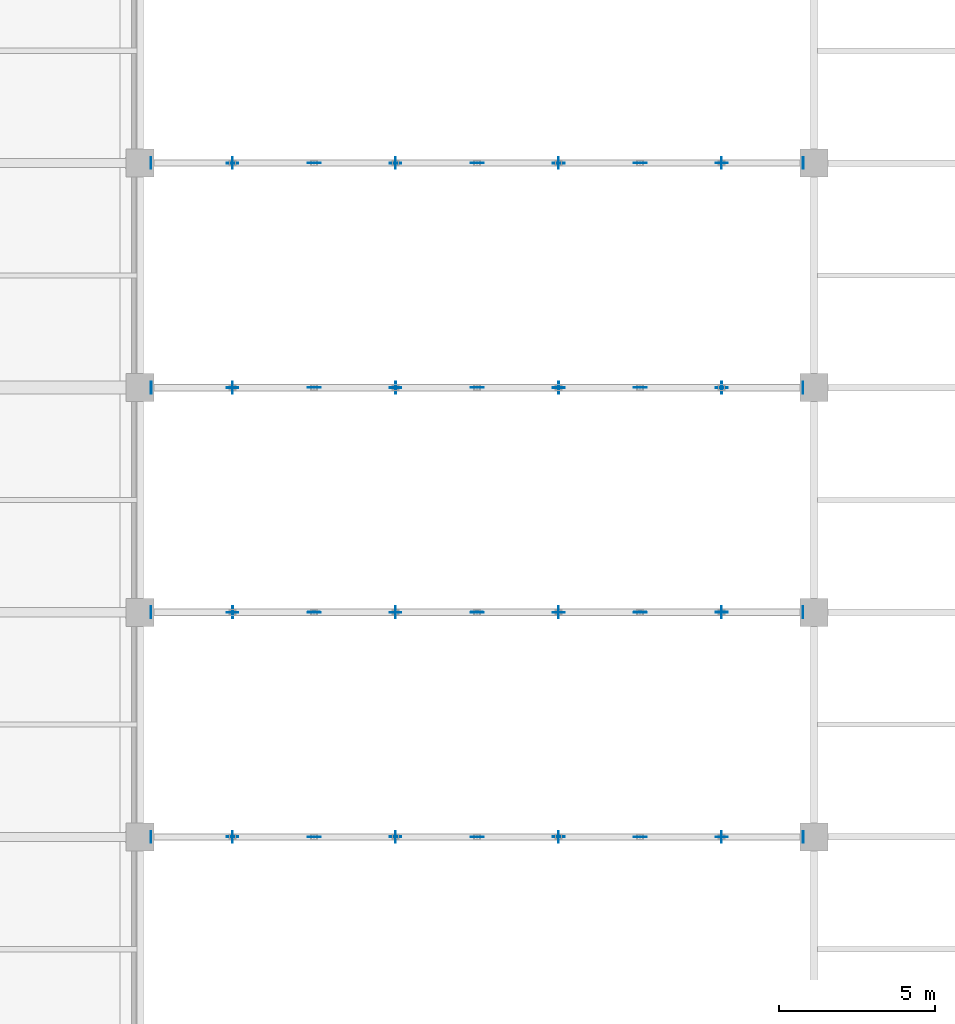
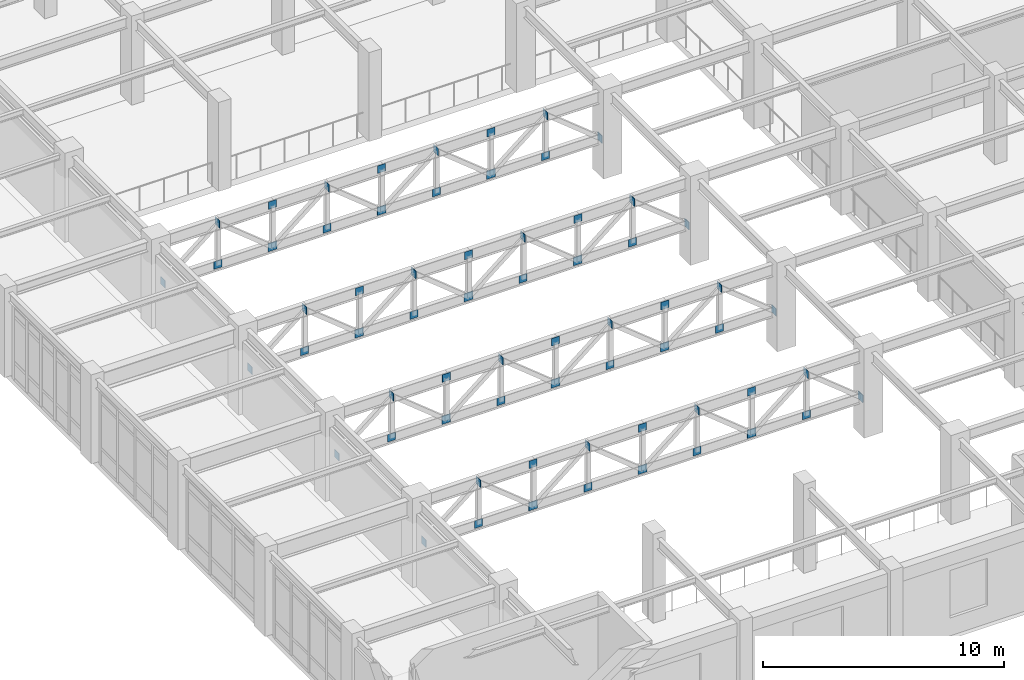
# One storey, part 72 of 106: 64 plates.
"""IFC4 building model written with IfcOpenShell, lengths in metres."""

from ifc_helpers import new_model, si_unit, direction, frame, origin, origin_2d, place, context, subcontext, project, spatial, rectangle, extrude, material, layer, layer_set, type_object, element, save


model = new_model("IFC4")

# Units and contexts
model_context = context("Model", 3, precision=1e-05, world=origin(), true_north=direction((0.0, 1.0)))
body_context = subcontext(model_context, "Body", "Model", "MODEL_VIEW")
ifc_project = project(units=[si_unit("LENGTHUNIT", "METRE"), si_unit("AREAUNIT", "SQUARE_METRE"), si_unit("VOLUMEUNIT", "CUBIC_METRE"), si_unit("PLANEANGLEUNIT", "RADIAN"), si_unit("MASSUNIT", "GRAM", prefix="KILO")], contexts=[model_context])

# Site, building, storey
site_placement = place(None, origin())
site = spatial("IfcSite", under=ifc_project, at=site_placement, CompositionType="ELEMENT")
building_placement = place(site_placement, origin())
building = spatial("IfcBuilding", under=site, at=building_placement, Name="Carrowvane Square Congress Hotel", CompositionType="ELEMENT")
storey_placement = place(building_placement, frame((0.0, 0.0, 10.5)))
storey = spatial("IfcBuildingStorey", under=building, at=storey_placement, Name="L02", CompositionType="ELEMENT", Elevation=10.5)

# Plates
ifc_material_1 = material(Name="Steel S355", Category="steel")
ifc_layer_1 = layer(ifc_material_1, 0.02001953125)
ifc_layer_set_1 = layer_set([ifc_layer_1], Name="Steel S355")
plate_type_1 = type_object("IfcPlateType", Name="PLT-GUS-20", PredefinedType="SHEET", material=ifc_layer_set_1)
plate_1_placement = place(storey_placement, frame((144.16259765625, 19.800048828125, 3.719970703125), z_axis=(0.0, 0.0, 1.0), x_axis=(1.0, 0.0, 0.0)))
element("IfcPlate", 1, at=plate_1_placement, inside=storey, type_object=plate_type_1, Name="L02 brace connection end plate 150", PredefinedType="SHEET", context=body_context, shape_type="SweptSolid", body=[
    extrude(rectangle(XDim=0.02001953125, YDim=0.3798828125, at=origin_2d()), origin(), (0.0, 0.0, 1.0), 0.3798828125),
])
for number, where, z_axis, x_axis, name in (
    (2, (146.77490234375, 19.800048828125, 3.719970703125), (0.0, 0.0, 1.0), (1.0, 0.0, 0.0), "L02 brace connection end plate 153"),
    (3, (152.0, 19.800048828125, 3.719970703125), (0.0, 0.0, 1.0), (1.0, 0.0, 0.0), "L02 brace connection end plate 156"),
    (4, (157.22509765625, 19.800048828125, 3.719970703125), (0.0, 0.0, 1.0), (1.0, 0.0, 0.0), "L02 brace connection end plate 159"),
):
    element("IfcPlate", number, at=place(storey_placement, frame(where, z_axis=z_axis, x_axis=x_axis)), inside=storey, type_object=plate_type_1, Name=name, PredefinedType="SHEET", context=body_context, shape_type="SweptSolid", body=[
        extrude(rectangle(XDim=0.3798828125, YDim=0.02001953125, at=origin_2d()), origin(), (0.0, 0.0, 1.0), 0.3798828125),
    ])
for number, where, z_axis, x_axis, name in (
    (5, (141.550048828125, 27.0, 1.610107421875), (0.0, 0.0, 1.0), (1.0, 0.0, 0.0), "L02 brace connection end plate 162"),
    (6, (149.387451171875, 27.0, 3.719970703125), (0.0, 0.0, 1.0), (1.0, 0.0, 0.0), "L02 brace connection end plate 165"),
    (7, (154.612548828125, 27.0, 3.719970703125), (0.0, 0.0, 1.0), (1.0, 0.0, 0.0), "L02 brace connection end plate 168"),
    (8, (159.83740234375, 27.0, 3.719970703125), (0.0, 0.0, 1.0), (1.0, 0.0, 0.0), "L02 brace connection end plate 171"),
):
    element("IfcPlate", number, at=place(storey_placement, frame(where, z_axis=z_axis, x_axis=x_axis)), inside=storey, type_object=plate_type_1, Name=name, PredefinedType="SHEET", context=body_context, shape_type="SweptSolid", body=[
        extrude(rectangle(XDim=0.02001953125, YDim=0.3798828125, at=origin_2d()), origin(), (0.0, 0.0, 1.0), 0.3798828125),
    ])
for number, where, z_axis, x_axis, name in (
    (9, (159.83740234375, 27.0, 1.610107421875), (0.0, 0.0, 1.0), (1.0, 0.0, 0.0), "L02 brace connection end plate 174"),
    (10, (144.16259765625, 34.199951171875, 1.610107421875), (0.0, 0.0, 1.0), (1.0, 0.0, 0.0), "L02 brace connection end plate 177"),
    (11, (149.387451171875, 34.199951171875, 1.610107421875), (0.0, 0.0, 1.0), (1.0, 0.0, 0.0), "L02 brace connection end plate 180"),
    (12, (154.612548828125, 34.199951171875, 1.610107421875), (0.0, 0.0, 1.0), (1.0, 0.0, 0.0), "L02 brace connection end plate 183"),
):
    element("IfcPlate", number, at=place(storey_placement, frame(where, z_axis=z_axis, x_axis=x_axis)), inside=storey, type_object=plate_type_1, Name=name, PredefinedType="SHEET", context=body_context, shape_type="SweptSolid", body=[
        extrude(rectangle(XDim=0.3798828125, YDim=0.02001953125, at=origin_2d()), origin(), (0.0, 0.0, 1.0), 0.3798828125),
    ])
for number, where, z_axis, x_axis, name in (
    (13, (162.449951171875, 34.199951171875, 1.610107421875), (0.0, 0.0, 1.0), (1.0, 0.0, 0.0), "L02 brace connection end plate 186"),
    (14, (144.16259765625, 41.39990234375, 3.719970703125), (0.0, 0.0, 1.0), (1.0, 0.0, 0.0), "L02 brace connection end plate 189"),
):
    element("IfcPlate", number, at=place(storey_placement, frame(where, z_axis=z_axis, x_axis=x_axis)), inside=storey, type_object=plate_type_1, Name=name, PredefinedType="SHEET", context=body_context, shape_type="SweptSolid", body=[
        extrude(rectangle(XDim=0.02001953125, YDim=0.3798828125, at=origin_2d()), origin(), (0.0, 0.0, 1.0), 0.3798828125),
    ])
for number, where, z_axis, x_axis, name in (
    (15, (146.77490234375, 41.39990234375, 3.719970703125), (0.0, 0.0, 1.0), (1.0, 0.0, 0.0), "L02 brace connection end plate 192"),
    (16, (152.0, 41.39990234375, 3.719970703125), (0.0, 0.0, 1.0), (1.0, 0.0, 0.0), "L02 brace connection end plate 195"),
    (17, (157.22509765625, 41.39990234375, 3.719970703125), (0.0, 0.0, 1.0), (1.0, 0.0, 0.0), "L02 brace connection end plate 198"),
):
    element("IfcPlate", number, at=place(storey_placement, frame(where, z_axis=z_axis, x_axis=x_axis)), inside=storey, type_object=plate_type_1, Name=name, PredefinedType="SHEET", context=body_context, shape_type="SweptSolid", body=[
        extrude(rectangle(XDim=0.3798828125, YDim=0.02001953125, at=origin_2d()), origin(), (0.0, 0.0, 1.0), 0.3798828125),
    ])
ifc_material_2 = material(Name="Steel S355", Category="steel")
ifc_layer_2 = layer(ifc_material_2, 0.030029296875)
ifc_layer_set_2 = layer_set([ifc_layer_2], Name="Steel S355")
plate_type_2 = type_object("IfcPlateType", Name="PLT-GUS-30", PredefinedType="USERDEFINED", material=ifc_layer_set_2)
for number, where, z_axis, x_axis, name in (
    (18, (144.16259765625, 19.800048828125, 1.610107421875), (0.0, 0.0, 1.0), (1.0, 0.0, 0.0), "L02 brace connection end plate 151"),
    (19, (149.387451171875, 19.800048828125, 1.610107421875), (0.0, 0.0, 1.0), (1.0, 0.0, 0.0), "L02 brace connection end plate 154"),
    (20, (154.612548828125, 19.800048828125, 1.610107421875), (0.0, 0.0, 1.0), (1.0, 0.0, 0.0), "L02 brace connection end plate 157"),
):
    element("IfcPlate", number, at=place(storey_placement, frame(where, z_axis=z_axis, x_axis=x_axis)), inside=storey, type_object=plate_type_2, Name=name, ObjectType="GUSSET PLATE", PredefinedType="USERDEFINED", context=body_context, shape_type="SweptSolid", body=[
        extrude(rectangle(XDim=0.3798828125, YDim=0.030029296875, at=origin_2d()), origin(), (0.0, 0.0, 1.0), 0.3798828125),
    ])
for number, where, z_axis, x_axis, name in (
    (21, (162.449951171875, 19.800048828125, 1.610107421875), (0.0, 0.0, 1.0), (1.0, 0.0, 0.0), "L02 brace connection end plate 160"),
    (22, (144.16259765625, 27.0, 3.719970703125), (0.0, 0.0, 1.0), (1.0, 0.0, 0.0), "L02 brace connection end plate 163"),
):
    element("IfcPlate", number, at=place(storey_placement, frame(where, z_axis=z_axis, x_axis=x_axis)), inside=storey, type_object=plate_type_2, Name=name, ObjectType="GUSSET PLATE", PredefinedType="USERDEFINED", context=body_context, shape_type="SweptSolid", body=[
        extrude(rectangle(XDim=0.030029296875, YDim=0.3798828125, at=origin_2d()), origin(), (0.0, 0.0, 1.0), 0.3798828125),
    ])
for number, where, z_axis, x_axis, name in (
    (23, (146.77490234375, 27.0, 3.719970703125), (0.0, 0.0, 1.0), (1.0, 0.0, 0.0), "L02 brace connection end plate 166"),
    (24, (152.0, 27.0, 3.719970703125), (0.0, 0.0, 1.0), (1.0, 0.0, 0.0), "L02 brace connection end plate 169"),
    (25, (157.22509765625, 27.0, 3.719970703125), (0.0, 0.0, 1.0), (1.0, 0.0, 0.0), "L02 brace connection end plate 172"),
):
    element("IfcPlate", number, at=place(storey_placement, frame(where, z_axis=z_axis, x_axis=x_axis)), inside=storey, type_object=plate_type_2, Name=name, ObjectType="GUSSET PLATE", PredefinedType="USERDEFINED", context=body_context, shape_type="SweptSolid", body=[
        extrude(rectangle(XDim=0.3798828125, YDim=0.030029296875, at=origin_2d()), origin(), (0.0, 0.0, 1.0), 0.3798828125),
    ])
for number, where, z_axis, x_axis, name in (
    (26, (141.550048828125, 34.199951171875, 1.610107421875), (0.0, 0.0, 1.0), (1.0, 0.0, 0.0), "L02 brace connection end plate 175"),
    (27, (149.387451171875, 34.199951171875, 3.719970703125), (0.0, 0.0, 1.0), (1.0, 0.0, 0.0), "L02 brace connection end plate 178"),
    (28, (154.612548828125, 34.199951171875, 3.719970703125), (0.0, 0.0, 1.0), (1.0, 0.0, 0.0), "L02 brace connection end plate 181"),
    (29, (159.83740234375, 34.199951171875, 3.719970703125), (0.0, 0.0, 1.0), (1.0, 0.0, 0.0), "L02 brace connection end plate 184"),
):
    element("IfcPlate", number, at=place(storey_placement, frame(where, z_axis=z_axis, x_axis=x_axis)), inside=storey, type_object=plate_type_2, Name=name, ObjectType="GUSSET PLATE", PredefinedType="USERDEFINED", context=body_context, shape_type="SweptSolid", body=[
        extrude(rectangle(XDim=0.030029296875, YDim=0.3798828125, at=origin_2d()), origin(), (0.0, 0.0, 1.0), 0.3798828125),
    ])
for number, where, z_axis, x_axis, name in (
    (30, (159.83740234375, 34.199951171875, 1.610107421875), (0.0, 0.0, 1.0), (1.0, 0.0, 0.0), "L02 brace connection end plate 187"),
    (31, (144.16259765625, 41.39990234375, 1.610107421875), (0.0, 0.0, 1.0), (1.0, 0.0, 0.0), "L02 brace connection end plate 190"),
    (32, (149.387451171875, 41.39990234375, 1.610107421875), (0.0, 0.0, 1.0), (1.0, 0.0, 0.0), "L02 brace connection end plate 193"),
    (33, (154.612548828125, 41.39990234375, 1.610107421875), (0.0, 0.0, 1.0), (1.0, 0.0, 0.0), "L02 brace connection end plate 196"),
):
    element("IfcPlate", number, at=place(storey_placement, frame(where, z_axis=z_axis, x_axis=x_axis)), inside=storey, type_object=plate_type_2, Name=name, ObjectType="GUSSET PLATE", PredefinedType="USERDEFINED", context=body_context, shape_type="SweptSolid", body=[
        extrude(rectangle(XDim=0.3798828125, YDim=0.030029296875, at=origin_2d()), origin(), (0.0, 0.0, 1.0), 0.3798828125),
    ])
plate_2_placement = place(storey_placement, frame((162.449951171875, 41.39990234375, 1.610107421875), z_axis=(0.0, 0.0, 1.0), x_axis=(1.0, 0.0, 0.0)))
element("IfcPlate", 34, at=plate_2_placement, inside=storey, type_object=plate_type_2, Name="L02 brace connection end plate 199", ObjectType="GUSSET PLATE", PredefinedType="USERDEFINED", context=body_context, shape_type="SweptSolid", body=[
    extrude(rectangle(XDim=0.030029296875, YDim=0.3798828125, at=origin_2d()), origin(), (0.0, 0.0, 1.0), 0.3798828125),
])
ifc_material_3 = material(Name="Steel S355", Category="steel")
ifc_layer_3 = layer(ifc_material_3, 0.01611328125)
ifc_layer_set_3 = layer_set([ifc_layer_3], Name="Steel S355")
plate_type_3 = type_object("IfcPlateType", Name="PLT-STF-16", PredefinedType="USERDEFINED", material=ifc_layer_set_3)
for number, where, z_axis, x_axis, name in (
    (35, (146.77490234375, 19.800048828125, 1.590087890625), (0.0, 0.0, 1.0), (1.0, 0.0, 0.0), "Ballroom truss node stiffener GP-01"),
    (36, (152.0, 19.800048828125, 1.590087890625), (0.0, 0.0, 1.0), (1.0, 0.0, 0.0), "Ballroom truss node stiffener GP-02"),
    (37, (157.22509765625, 19.800048828125, 1.590087890625), (0.0, 0.0, 1.0), (1.0, 0.0, 0.0), "Ballroom truss node stiffener GP-03"),
    (38, (146.77490234375, 27.0, 1.590087890625), (0.0, 0.0, 1.0), (1.0, 0.0, 0.0), "Ballroom truss node stiffener GP-04"),
    (39, (152.0, 27.0, 1.590087890625), (0.0, 0.0, 1.0), (1.0, 0.0, 0.0), "Ballroom truss node stiffener GP-05"),
    (40, (157.22509765625, 27.0, 1.590087890625), (0.0, 0.0, 1.0), (1.0, 0.0, 0.0), "Ballroom truss node stiffener GP-06"),
    (41, (146.77490234375, 34.199951171875, 1.590087890625), (0.0, 0.0, 1.0), (1.0, 0.0, 0.0), "Ballroom truss node stiffener GP-07"),
    (42, (152.0, 34.199951171875, 1.590087890625), (0.0, 0.0, 1.0), (1.0, 0.0, 0.0), "Ballroom truss node stiffener GP-08"),
    (43, (157.22509765625, 34.199951171875, 1.590087890625), (0.0, 0.0, 1.0), (1.0, 0.0, 0.0), "Ballroom truss node stiffener GP-09"),
    (44, (146.77490234375, 41.39990234375, 1.590087890625), (0.0, 0.0, 1.0), (1.0, 0.0, 0.0), "Ballroom truss node stiffener GP-10"),
    (45, (152.0, 41.39990234375, 1.590087890625), (0.0, 0.0, 1.0), (1.0, 0.0, 0.0), "Ballroom truss node stiffener GP-11"),
    (46, (157.22509765625, 41.39990234375, 1.590087890625), (0.0, 0.0, 1.0), (1.0, 0.0, 0.0), "Ballroom truss node stiffener GP-12"),
):
    element("IfcPlate", number, at=place(storey_placement, frame(where, z_axis=z_axis, x_axis=x_axis)), inside=storey, type_object=plate_type_3, Name=name, ObjectType="STIFFENER PLATE", PredefinedType="USERDEFINED", context=body_context, shape_type="SweptSolid", body=[
        extrude(rectangle(XDim=0.419921875, YDim=0.01611328125, at=origin_2d()), origin(), (0.0, 0.0, 1.0), 0.419921875),
    ])
for number, where, z_axis, x_axis, name in (
    (47, (141.550048828125, 19.800048828125, 1.610107421875), (0.0, 0.0, 1.0), (1.0, 0.0, 0.0), "L02 brace connection end plate 149"),
    (48, (149.387451171875, 19.800048828125, 3.719970703125), (0.0, 0.0, 1.0), (1.0, 0.0, 0.0), "L02 brace connection end plate 152"),
    (49, (154.612548828125, 19.800048828125, 3.719970703125), (0.0, 0.0, 1.0), (1.0, 0.0, 0.0), "L02 brace connection end plate 155"),
    (50, (159.83740234375, 19.800048828125, 3.719970703125), (0.0, 0.0, 1.0), (1.0, 0.0, 0.0), "L02 brace connection end plate 158"),
):
    element("IfcPlate", number, at=place(storey_placement, frame(where, z_axis=z_axis, x_axis=x_axis)), inside=storey, type_object=plate_type_3, Name=name, ObjectType="STIFFENER PLATE", PredefinedType="USERDEFINED", context=body_context, shape_type="SweptSolid", body=[
        extrude(rectangle(XDim=0.01611328125, YDim=0.3798828125, at=origin_2d()), origin(), (0.0, 0.0, 1.0), 0.3798828125),
    ])
for number, where, z_axis, x_axis, name in (
    (51, (159.83740234375, 19.800048828125, 1.610107421875), (0.0, 0.0, 1.0), (1.0, 0.0, 0.0), "L02 brace connection end plate 161"),
    (52, (144.16259765625, 27.0, 1.610107421875), (0.0, 0.0, 1.0), (1.0, 0.0, 0.0), "L02 brace connection end plate 164"),
    (53, (149.387451171875, 27.0, 1.610107421875), (0.0, 0.0, 1.0), (1.0, 0.0, 0.0), "L02 brace connection end plate 167"),
    (54, (154.612548828125, 27.0, 1.610107421875), (0.0, 0.0, 1.0), (1.0, 0.0, 0.0), "L02 brace connection end plate 170"),
):
    element("IfcPlate", number, at=place(storey_placement, frame(where, z_axis=z_axis, x_axis=x_axis)), inside=storey, type_object=plate_type_3, Name=name, ObjectType="STIFFENER PLATE", PredefinedType="USERDEFINED", context=body_context, shape_type="SweptSolid", body=[
        extrude(rectangle(XDim=0.3798828125, YDim=0.01611328125, at=origin_2d()), origin(), (0.0, 0.0, 1.0), 0.3798828125),
    ])
for number, where, z_axis, x_axis, name in (
    (55, (162.449951171875, 27.0, 1.610107421875), (0.0, 0.0, 1.0), (1.0, 0.0, 0.0), "L02 brace connection end plate 173"),
    (56, (144.16259765625, 34.199951171875, 3.719970703125), (0.0, 0.0, 1.0), (1.0, 0.0, 0.0), "L02 brace connection end plate 176"),
):
    element("IfcPlate", number, at=place(storey_placement, frame(where, z_axis=z_axis, x_axis=x_axis)), inside=storey, type_object=plate_type_3, Name=name, ObjectType="STIFFENER PLATE", PredefinedType="USERDEFINED", context=body_context, shape_type="SweptSolid", body=[
        extrude(rectangle(XDim=0.01611328125, YDim=0.3798828125, at=origin_2d()), origin(), (0.0, 0.0, 1.0), 0.3798828125),
    ])
for number, where, z_axis, x_axis, name in (
    (57, (146.77490234375, 34.199951171875, 3.719970703125), (0.0, 0.0, 1.0), (1.0, 0.0, 0.0), "L02 brace connection end plate 179"),
    (58, (152.0, 34.199951171875, 3.719970703125), (0.0, 0.0, 1.0), (1.0, 0.0, 0.0), "L02 brace connection end plate 182"),
    (59, (157.22509765625, 34.199951171875, 3.719970703125), (0.0, 0.0, 1.0), (1.0, 0.0, 0.0), "L02 brace connection end plate 185"),
):
    element("IfcPlate", number, at=place(storey_placement, frame(where, z_axis=z_axis, x_axis=x_axis)), inside=storey, type_object=plate_type_3, Name=name, ObjectType="STIFFENER PLATE", PredefinedType="USERDEFINED", context=body_context, shape_type="SweptSolid", body=[
        extrude(rectangle(XDim=0.3798828125, YDim=0.01611328125, at=origin_2d()), origin(), (0.0, 0.0, 1.0), 0.3798828125),
    ])
for number, where, z_axis, x_axis, name in (
    (60, (141.550048828125, 41.39990234375, 1.610107421875), (0.0, 0.0, 1.0), (1.0, 0.0, 0.0), "L02 brace connection end plate 188"),
    (61, (149.387451171875, 41.39990234375, 3.719970703125), (0.0, 0.0, 1.0), (1.0, 0.0, 0.0), "L02 brace connection end plate 191"),
    (62, (154.612548828125, 41.39990234375, 3.719970703125), (0.0, 0.0, 1.0), (1.0, 0.0, 0.0), "L02 brace connection end plate 194"),
    (63, (159.83740234375, 41.39990234375, 3.719970703125), (0.0, 0.0, 1.0), (1.0, 0.0, 0.0), "L02 brace connection end plate 197"),
):
    element("IfcPlate", number, at=place(storey_placement, frame(where, z_axis=z_axis, x_axis=x_axis)), inside=storey, type_object=plate_type_3, Name=name, ObjectType="STIFFENER PLATE", PredefinedType="USERDEFINED", context=body_context, shape_type="SweptSolid", body=[
        extrude(rectangle(XDim=0.01611328125, YDim=0.3798828125, at=origin_2d()), origin(), (0.0, 0.0, 1.0), 0.3798828125),
    ])
plate_3_placement = place(storey_placement, frame((159.83740234375, 41.39990234375, 1.610107421875), z_axis=(0.0, 0.0, 1.0), x_axis=(1.0, 0.0, 0.0)))
element("IfcPlate", 64, at=plate_3_placement, inside=storey, type_object=plate_type_3, Name="L02 brace connection end plate 200", ObjectType="STIFFENER PLATE", PredefinedType="USERDEFINED", context=body_context, shape_type="SweptSolid", body=[
    extrude(rectangle(XDim=0.3798828125, YDim=0.01611328125, at=origin_2d()), origin(), (0.0, 0.0, 1.0), 0.3798828125),
])

save(model, "model.ifc")
